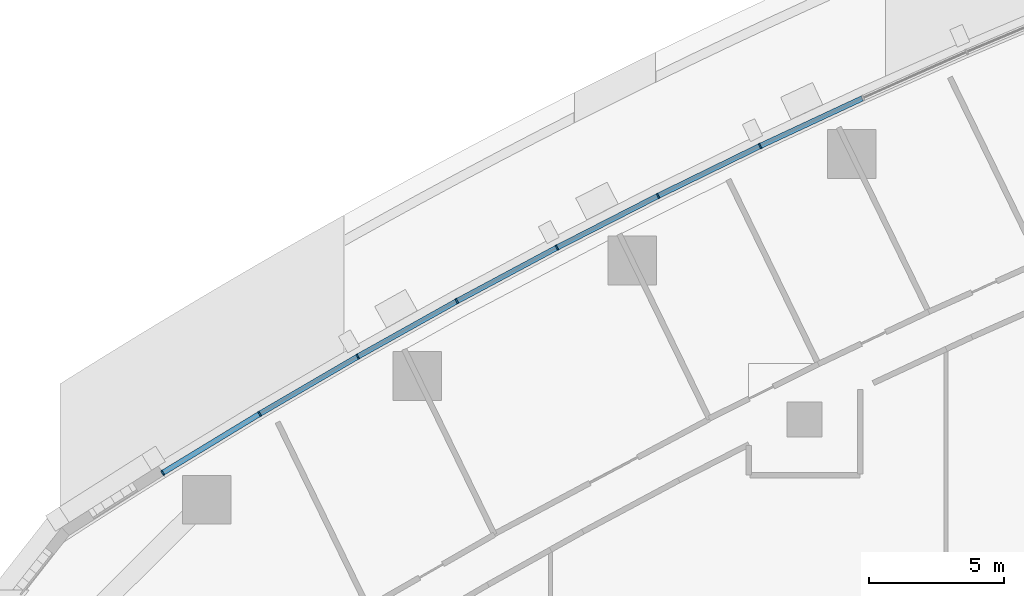
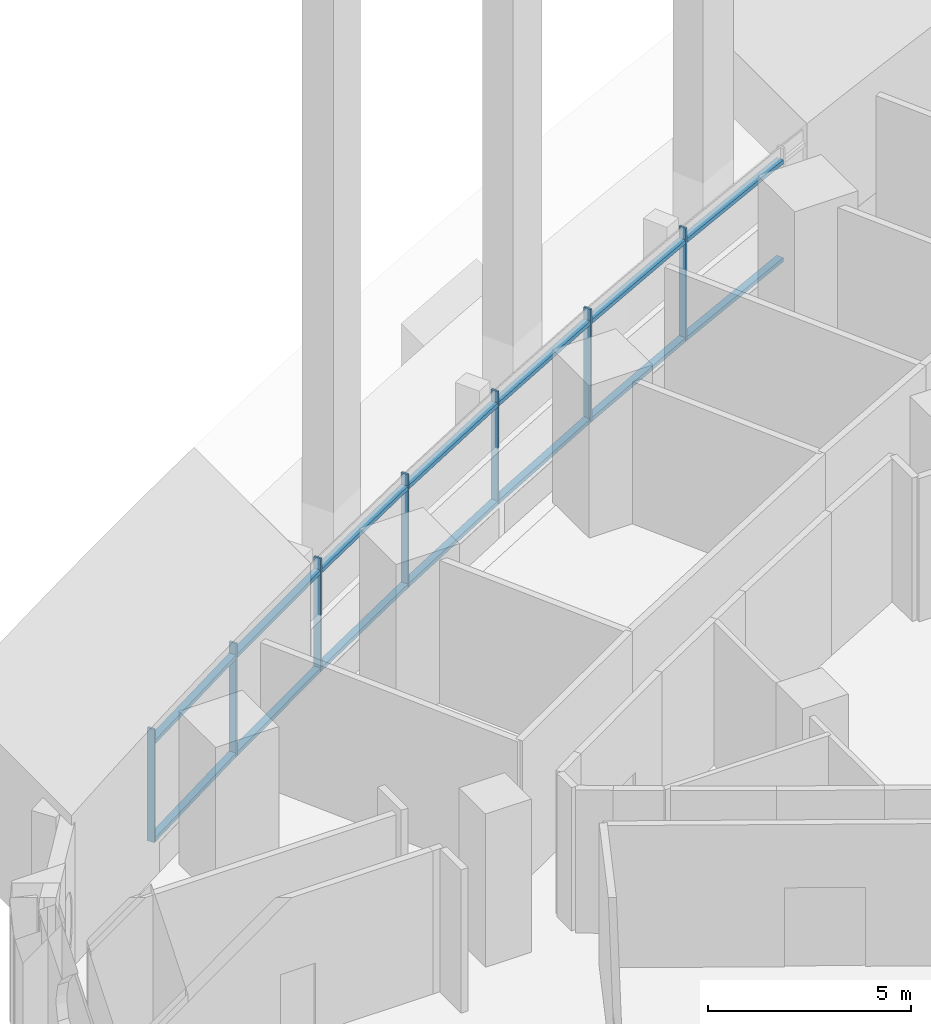
# One storey, part 5 of 20: 21 members, 3 elements without a shape of their own.
"""IFC4 building model written with IfcOpenShell, lengths in metres."""

from ifc_helpers import new_model, si_unit, direction, frame, origin, origin_2d, place, context, subcontext, project, spatial, rectangle, extrude, material, layer, layer_set, material_profile, profile_set, type_object, element, aggregate, save


model = new_model("IFC4")

# Units and contexts
model_context = context("Model", 3, precision=1e-05, world=origin(), true_north=direction((0.0, 1.0)))
body_context = subcontext(model_context, "Body", "Model", "MODEL_VIEW")
ifc_project = project(units=[si_unit("LENGTHUNIT", "METRE"), si_unit("AREAUNIT", "SQUARE_METRE"), si_unit("VOLUMEUNIT", "CUBIC_METRE"), si_unit("PLANEANGLEUNIT", "RADIAN"), si_unit("MASSUNIT", "GRAM", prefix="KILO")], contexts=[model_context])

# Site, building, storey
site_placement = place(None, origin())
site = spatial("IfcSite", under=ifc_project, at=site_placement, CompositionType="ELEMENT")
building_placement = place(site_placement, origin())
building = spatial("IfcBuilding", under=site, at=building_placement, Name="Ostrand Prow Hotel Tower", CompositionType="ELEMENT")
storey_placement = place(building_placement, frame((0.0, 0.0, 35.0)))
storey = spatial("IfcBuildingStorey", under=building, at=storey_placement, Name="L06", CompositionType="ELEMENT", Elevation=35.0)

# Curtain wall, members
ifc_material_1 = material(Name="Insulated glass in bronze anodised frame", Category="glass")
ifc_layer = layer(ifc_material_1, 0.199951171875)
ifc_layer_set = layer_set([ifc_layer], Name="Insulated glass in bronze anodised frame")
curtain_wall_type = type_object("IfcCurtainWallType", Name="Sky lobby full-height curtain wall", PredefinedType="NOTDEFINED", material=ifc_layer_set)
curtain_wall_1_placement = place(storey_placement, origin())
curtain_wall_1 = element("IfcCurtainWall", 1, at=curtain_wall_1_placement, inside=storey, type_object=curtain_wall_type, Name="CW3 run CWN3", PredefinedType="NOTDEFINED")
ifc_material_2 = material(Name="Bronze anodised aluminium", Category="aluminium")
ifc_material_profile_1 = material_profile(ifc_material_2, rectangle(XDim=0.199951171875, YDim=0.06005859375, at=origin_2d()), Name="Mullion 60x200 bronze anodised aluminium")
ifc_profile_set_1 = profile_set([ifc_material_profile_1], Name="Bronze anodised aluminium")
member_type_1 = type_object("IfcMemberType", Name="Mullion 60x200 bronze anodised aluminium", PredefinedType="MULLION", material=ifc_profile_set_1)
member_1_placement = place(storey_placement, frame((32.360595703125, 19.10498046875, 0.89990234375), z_axis=(0.0, 0.0, 1.0), x_axis=(0.439138077204, -0.898419584131, 0.0)))
member_1 = element("IfcMember", 2, at=member_1_placement, type_object=member_type_1, Name="CW3 mullion 2", PredefinedType="MULLION", context=body_context, shape_type="SweptSolid", body=[
    extrude(rectangle(XDim=0.199951171875, YDim=0.06005859375, at=origin_2d()), origin(), (0.0, 0.0, 1.0), 3.400146484375),
])
member_2_placement = place(storey_placement, frame((28.59228515625, 17.262939453125, 0.89990234375), z_axis=(0.0, 0.0, 1.0), x_axis=(0.439138077204, -0.898419584131, 0.0)))
member_2 = element("IfcMember", 3, at=member_2_placement, type_object=member_type_1, Name="CW3 mullion 3", PredefinedType="MULLION", context=body_context, shape_type="SweptSolid", body=[
    extrude(rectangle(XDim=0.199951171875, YDim=0.06005859375, at=origin_2d()), origin(), (0.0, 0.0, 1.0), 3.400146484375),
])

curtain_wall_2_placement = place(storey_placement, origin())
curtain_wall_2 = element("IfcCurtainWall", 4, at=curtain_wall_2_placement, inside=storey, type_object=curtain_wall_type, Name="CW3 run CWN4", PredefinedType="NOTDEFINED")
member_3_placement = place(storey_placement, frame((24.858642578125, 15.35205078125, 0.89990234375), z_axis=(0.0, 0.0, 1.0), x_axis=(0.471899992481, -0.881652083929, 0.0)))
member_3 = element("IfcMember", 5, at=member_3_placement, type_object=member_type_1, Name="CW3 mullion 2", PredefinedType="MULLION", context=body_context, shape_type="SweptSolid", body=[
    extrude(rectangle(XDim=0.199951171875, YDim=0.06005859375, at=origin_2d()), origin(), (0.0, 0.0, 1.0), 3.400146484375),
])
member_4_placement = place(storey_placement, frame((21.160888671875, 13.372802734375, 0.89990234375), z_axis=(0.0, 0.0, 1.0), x_axis=(0.488043996167, -0.872819029241, 0.0)))
member_4 = element("IfcMember", 6, at=member_4_placement, type_object=member_type_1, Name="CW3 mullion 3", PredefinedType="MULLION", context=body_context, shape_type="SweptSolid", body=[
    extrude(rectangle(XDim=0.199951171875, YDim=0.06005859375, at=origin_2d()), origin(), (0.0, 0.0, 1.0), 3.400146484375),
])
member_5_placement = place(storey_placement, frame((17.5, 11.325927734375, 0.89990234375), z_axis=(0.0, 0.0, 1.0), x_axis=(0.488043996167, -0.872819029241, 0.0)))
member_5 = element("IfcMember", 7, at=member_5_placement, type_object=member_type_1, Name="CW3 mullion 4", PredefinedType="MULLION", context=body_context, shape_type="SweptSolid", body=[
    extrude(rectangle(XDim=0.199951171875, YDim=0.06005859375, at=origin_2d()), origin(), (0.0, 0.0, 1.0), 3.400146484375),
])

curtain_wall_3_placement = place(storey_placement, origin())
curtain_wall_3 = element("IfcCurtainWall", 8, at=curtain_wall_3_placement, inside=storey, type_object=curtain_wall_type, Name="CW3 run CWN5", PredefinedType="NOTDEFINED")
member_6_placement = place(storey_placement, frame((13.87744140625, 9.2119140625, 0.89990234375), z_axis=(0.0, 0.0, 1.0), x_axis=(0.519830761515, -0.854269266322, 0.0)))
member_6 = element("IfcMember", 9, at=member_6_placement, type_object=member_type_1, Name="CW3 mullion 2", PredefinedType="MULLION", context=body_context, shape_type="SweptSolid", body=[
    extrude(rectangle(XDim=0.199951171875, YDim=0.06005859375, at=origin_2d()), origin(), (0.0, 0.0, 1.0), 3.400146484375),
])
member_7_placement = place(storey_placement, frame((10.29443359375, 7.031494140625, 0.89990234375), z_axis=(0.0, 0.0, 1.0), x_axis=(0.519830761515, -0.854269266322, 0.0)))
member_7 = element("IfcMember", 10, at=member_7_placement, type_object=member_type_1, Name="CW3 mullion 3", PredefinedType="MULLION", context=body_context, shape_type="SweptSolid", body=[
    extrude(rectangle(XDim=0.199951171875, YDim=0.06005859375, at=origin_2d()), origin(), (0.0, 0.0, 1.0), 3.400146484375),
])

# Member
ifc_material_3 = material(Name="Bronze anodised aluminium", Category="aluminium")
ifc_material_profile_2 = material_profile(ifc_material_3, rectangle(XDim=0.199951171875, YDim=0.1201171875, at=origin_2d()), Name="Transom 120x200 bronze anodised aluminium")
ifc_profile_set_2 = profile_set([ifc_material_profile_2], Name="Bronze anodised aluminium")
member_type_2 = type_object("IfcMemberType", Name="Transom 120x200 bronze anodised aluminium", PredefinedType="USERDEFINED", material=ifc_profile_set_2)
member_8_placement = place(storey_placement, frame((36.135009765625, 20.864501953125, 0.9599609375), z_axis=(-0.906338458793, -0.422552479714, 0.0), x_axis=(0.422552479714, -0.906338458793, 0.0)))
member_8 = element("IfcMember", 11, at=member_8_placement, type_object=member_type_2, Name="CW3 transom 1.1", ObjectType="TRANSOM", PredefinedType="USERDEFINED", context=body_context, shape_type="SweptSolid", body=[
    extrude(rectangle(XDim=0.199951171875, YDim=0.1201171875, at=origin_2d()), origin(), (0.0, 0.0, 1.0), 4.134521484375),
])

member_9_placement = place(storey_placement, frame((36.135009765625, 20.864501953125, 3.89990234375), z_axis=(-0.906338458793, -0.422552479714, 0.0), x_axis=(0.422552479714, -0.906338458793, 0.0)))
member_9 = element("IfcMember", 12, at=member_9_placement, type_object=member_type_2, Name="CW3 transom 1.2", ObjectType="TRANSOM", PredefinedType="USERDEFINED", context=body_context, shape_type="SweptSolid", body=[
    extrude(rectangle(XDim=0.199951171875, YDim=0.1201171875, at=origin_2d()), origin(), (0.0, 0.0, 1.0), 4.134521484375),
])

member_10_placement = place(storey_placement, frame((32.33349609375, 19.091796875, 0.9599609375), z_axis=(-0.898395234758, -0.439187889364, 0.0), x_axis=(0.439187889364, -0.898395234758, 0.0)))
member_10 = element("IfcMember", 13, at=member_10_placement, type_object=member_type_2, Name="CW3 transom 2.1", ObjectType="TRANSOM", PredefinedType="USERDEFINED", context=body_context, shape_type="SweptSolid", body=[
    extrude(rectangle(XDim=0.199951171875, YDim=0.1201171875, at=origin_2d()), origin(), (0.0, 0.0, 1.0), 4.13427734375),
])

member_11_placement = place(storey_placement, frame((32.33349609375, 19.091796875, 3.89990234375), z_axis=(-0.898395234758, -0.439187889364, 0.0), x_axis=(0.439187889364, -0.898395234758, 0.0)))
member_11 = element("IfcMember", 14, at=member_11_placement, type_object=member_type_2, Name="CW3 transom 2.2", ObjectType="TRANSOM", PredefinedType="USERDEFINED", context=body_context, shape_type="SweptSolid", body=[
    extrude(rectangle(XDim=0.199951171875, YDim=0.1201171875, at=origin_2d()), origin(), (0.0, 0.0, 1.0), 4.13427734375),
])

aggregate(curtain_wall_1, [member_1, member_2, member_8, member_9, member_10, member_11])

member_12_placement = place(storey_placement, frame((28.565673828125, 17.249267578125, 0.9599609375), z_axis=(-0.890182999343, -0.455603147136, 0.0), x_axis=(0.455603147136, -0.890182999343, 0.0)))
member_12 = element("IfcMember", 15, at=member_12_placement, type_object=member_type_2, Name="CW3 transom 1.1", ObjectType="TRANSOM", PredefinedType="USERDEFINED", context=body_context, shape_type="SweptSolid", body=[
    extrude(rectangle(XDim=0.199951171875, YDim=0.1201171875, at=origin_2d()), origin(), (0.0, 0.0, 1.0), 4.13427734375),
])

member_13_placement = place(storey_placement, frame((28.565673828125, 17.249267578125, 3.89990234375), z_axis=(-0.890182999343, -0.455603147136, 0.0), x_axis=(0.455603147136, -0.890182999343, 0.0)))
member_13 = element("IfcMember", 16, at=member_13_placement, type_object=member_type_2, Name="CW3 transom 1.2", ObjectType="TRANSOM", PredefinedType="USERDEFINED", context=body_context, shape_type="SweptSolid", body=[
    extrude(rectangle(XDim=0.199951171875, YDim=0.1201171875, at=origin_2d()), origin(), (0.0, 0.0, 1.0), 4.13427734375),
])

member_14_placement = place(storey_placement, frame((24.832275390625, 15.337890625, 0.9599609375), z_axis=(-0.881657241639, -0.471890356191, 0.0), x_axis=(0.471890356191, -0.881657241639, 0.0)))
member_14 = element("IfcMember", 17, at=member_14_placement, type_object=member_type_2, Name="CW3 transom 2.1", ObjectType="TRANSOM", PredefinedType="USERDEFINED", context=body_context, shape_type="SweptSolid", body=[
    extrude(rectangle(XDim=0.199951171875, YDim=0.1201171875, at=origin_2d()), origin(), (0.0, 0.0, 1.0), 4.13427734375),
])

member_15_placement = place(storey_placement, frame((24.832275390625, 15.337890625, 3.89990234375), z_axis=(-0.881657241639, -0.471890356191, 0.0), x_axis=(0.471890356191, -0.881657241639, 0.0)))
member_15 = element("IfcMember", 18, at=member_15_placement, type_object=member_type_2, Name="CW3 transom 2.2", ObjectType="TRANSOM", PredefinedType="USERDEFINED", context=body_context, shape_type="SweptSolid", body=[
    extrude(rectangle(XDim=0.199951171875, YDim=0.1201171875, at=origin_2d()), origin(), (0.0, 0.0, 1.0), 4.13427734375),
])

member_16_placement = place(storey_placement, frame((21.134765625, 13.358154296875, 0.9599609375), z_axis=(-0.872842137405, -0.488002667175, 0.0), x_axis=(0.488002667175, -0.872842137405, 0.0)))
member_16 = element("IfcMember", 19, at=member_16_placement, type_object=member_type_2, Name="CW3 transom 3.1", ObjectType="TRANSOM", PredefinedType="USERDEFINED", context=body_context, shape_type="SweptSolid", body=[
    extrude(rectangle(XDim=0.199951171875, YDim=0.1201171875, at=origin_2d()), origin(), (0.0, 0.0, 1.0), 4.13427734375),
])

member_17_placement = place(storey_placement, frame((21.134765625, 13.358154296875, 3.89990234375), z_axis=(-0.872842137405, -0.488002667175, 0.0), x_axis=(0.488002667175, -0.872842137405, 0.0)))
member_17 = element("IfcMember", 20, at=member_17_placement, type_object=member_type_2, Name="CW3 transom 3.2", ObjectType="TRANSOM", PredefinedType="USERDEFINED", context=body_context, shape_type="SweptSolid", body=[
    extrude(rectangle(XDim=0.199951171875, YDim=0.1201171875, at=origin_2d()), origin(), (0.0, 0.0, 1.0), 4.13427734375),
])

aggregate(curtain_wall_2, [member_3, member_4, member_5, member_12, member_13, member_14, member_15, member_16, member_17])

member_18_placement = place(storey_placement, frame((17.47412109375, 11.310791015625, 0.9599609375), z_axis=(-0.863697501622, -0.504010541251, 0.0), x_axis=(0.504010541251, -0.863697501622, 0.0)))
member_18 = element("IfcMember", 21, at=member_18_placement, type_object=member_type_2, Name="CW3 transom 1.1", ObjectType="TRANSOM", PredefinedType="USERDEFINED", context=body_context, shape_type="SweptSolid", body=[
    extrude(rectangle(XDim=0.199951171875, YDim=0.1201171875, at=origin_2d()), origin(), (0.0, 0.0, 1.0), 4.13427734375),
])

member_19_placement = place(storey_placement, frame((17.47412109375, 11.310791015625, 3.89990234375), z_axis=(-0.863697501622, -0.504010541251, 0.0), x_axis=(0.504010541251, -0.863697501622, 0.0)))
member_19 = element("IfcMember", 22, at=member_19_placement, type_object=member_type_2, Name="CW3 transom 1.2", ObjectType="TRANSOM", PredefinedType="USERDEFINED", context=body_context, shape_type="SweptSolid", body=[
    extrude(rectangle(XDim=0.199951171875, YDim=0.1201171875, at=origin_2d()), origin(), (0.0, 0.0, 1.0), 4.13427734375),
])

member_20_placement = place(storey_placement, frame((13.851806640625, 9.1962890625, 0.9599609375), z_axis=(-0.8542612678, -0.519843905741, 0.0), x_axis=(0.519843905741, -0.8542612678, 0.0)))
member_20 = element("IfcMember", 23, at=member_20_placement, type_object=member_type_2, Name="CW3 transom 2.1", ObjectType="TRANSOM", PredefinedType="USERDEFINED", context=body_context, shape_type="SweptSolid", body=[
    extrude(rectangle(XDim=0.199951171875, YDim=0.1201171875, at=origin_2d()), origin(), (0.0, 0.0, 1.0), 4.13427734375),
])

member_21_placement = place(storey_placement, frame((13.851806640625, 9.1962890625, 3.89990234375), z_axis=(-0.8542612678, -0.519843905741, 0.0), x_axis=(0.519843905741, -0.8542612678, 0.0)))
member_21 = element("IfcMember", 24, at=member_21_placement, type_object=member_type_2, Name="CW3 transom 2.2", ObjectType="TRANSOM", PredefinedType="USERDEFINED", context=body_context, shape_type="SweptSolid", body=[
    extrude(rectangle(XDim=0.199951171875, YDim=0.1201171875, at=origin_2d()), origin(), (0.0, 0.0, 1.0), 4.13427734375),
])

aggregate(curtain_wall_3, [member_6, member_7, member_18, member_19, member_20, member_21])

save(model, "model.ifc")
